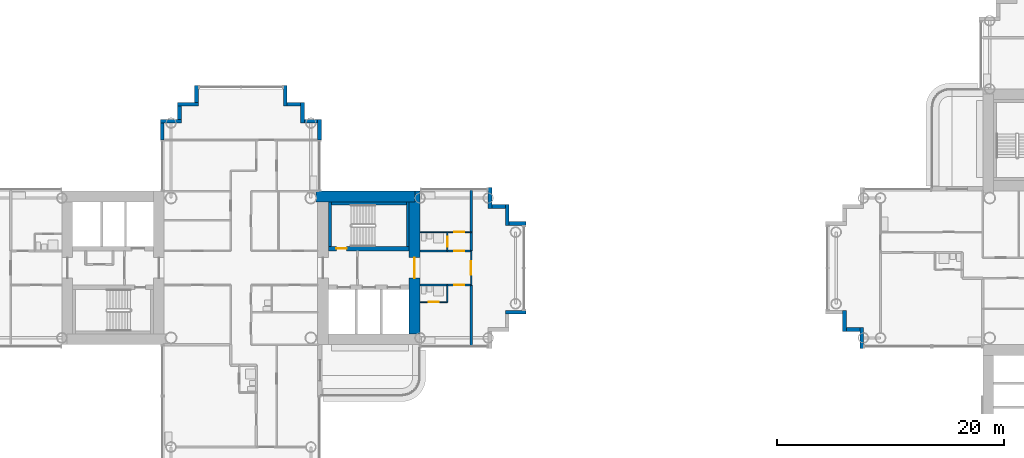
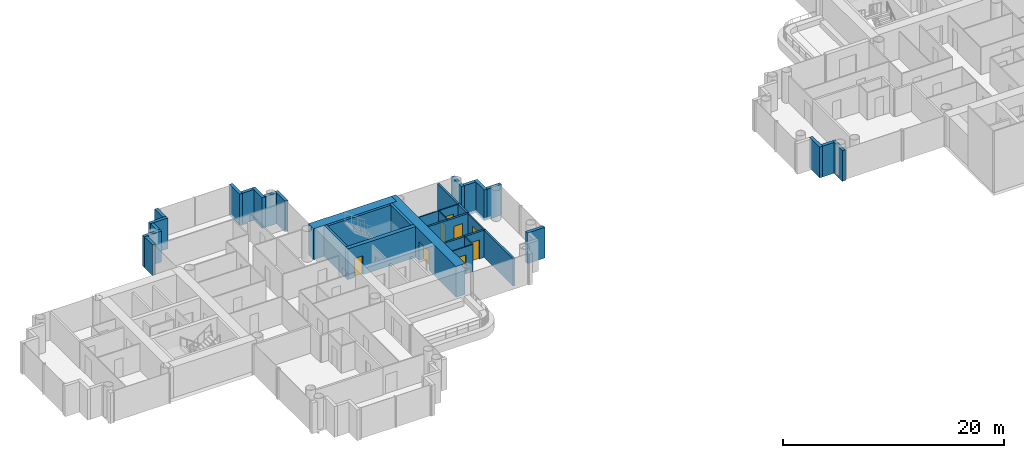
# One storey, part 11 of 21: 33 walls, 8 doors, 8 openings.
"""IFC4 building model written with IfcOpenShell, lengths in metres."""

from ifc_helpers import new_model, si_unit, direction, frame, frame_2d, origin, place, context, subcontext, project, spatial, rectangle, extrude, material, layer, layer_set, type_object, element, fill, save


model = new_model("IFC4")

# Units and contexts
model_context = context("Model", 3, precision=1e-05, world=origin(), true_north=direction((0.0, 1.0)))
body_context = subcontext(model_context, "Body", "Model", "MODEL_VIEW")
ifc_project = project(units=[si_unit("LENGTHUNIT", "METRE"), si_unit("AREAUNIT", "SQUARE_METRE"), si_unit("VOLUMEUNIT", "CUBIC_METRE"), si_unit("PLANEANGLEUNIT", "RADIAN"), si_unit("MASSUNIT", "GRAM", prefix="KILO")], contexts=[model_context])

# Site, building, storey
site_placement = place(None, origin())
site = spatial("IfcSite", under=ifc_project, at=site_placement, CompositionType="ELEMENT")
building_placement = place(site_placement, origin())
building = spatial("IfcBuilding", under=site, at=building_placement, Name="Ipe Terrace Towers", CompositionType="ELEMENT")
storey_placement = place(building_placement, frame((0.0, 0.0, 103.800048828125)))
storey = spatial("IfcBuildingStorey", under=building, at=storey_placement, Name="L28", CompositionType="ELEMENT", Elevation=103.800048828125)

# Walls
ifc_material_1 = material(Name="Concrete C40/50 with buff precast cladding", Category="concrete")
ifc_layer_1 = layer(ifc_material_1, 0.320068359375)
ifc_layer_set_1 = layer_set([ifc_layer_1], Name="BUFF CLADDING WALL 320")
wall_type_1 = type_object("IfcWallType", Name="BUFF CLADDING WALL 320", PredefinedType="STANDARD", material=ifc_layer_set_1)
wall_1_placement = place(storey_placement, frame((-12.75, -3.909912109375, -0.300048828125), z_axis=(0.0, 0.0, 1.0), x_axis=(1.0, 0.0, 0.0)))
element("IfcWall", 1, at=wall_1_placement, inside=storey, type_object=wall_type_1, Name="T1-W-L28-24a wall", PredefinedType="STANDARD", context=body_context, shape_type="SweptSolid", body=[
    extrude(rectangle(XDim=1.820068359375, YDim=0.320068359375, at=frame_2d((0.91015625, 0.0))), origin(), (0.0, 0.0, 1.0), 3.39990234375),
])
wall_2_placement = place(storey_placement, frame((-10.929931640625, 3.909912109375, -0.300048828125), z_axis=(0.0, 0.0, 1.0), x_axis=(-1.0, 0.0, 0.0)))
element("IfcWall", 2, at=wall_2_placement, inside=storey, type_object=wall_type_1, Name="T1-W-L28-26a wall", PredefinedType="STANDARD", context=body_context, shape_type="SweptSolid", body=[
    extrude(rectangle(XDim=1.5, YDim=0.320068359375, at=frame_2d((0.75, 0.0))), origin(), (0.0, 0.0, 1.0), 3.39990234375),
])
wall_3_placement = place(storey_placement, frame((-12.590087890625, 3.75, -0.300048828125), z_axis=(0.0, 0.0, 1.0), x_axis=(0.0, 1.0, 0.0)))
element("IfcWall", 3, at=wall_3_placement, inside=storey, type_object=wall_type_1, Name="T1-W-L28-27a wall", PredefinedType="STANDARD", context=body_context, shape_type="SweptSolid", body=[
    extrude(rectangle(XDim=1.820068359375, YDim=0.320068359375, at=frame_2d((0.91015625, 0.0))), origin(), (0.0, 0.0, 1.0), 3.39990234375),
])
wall_4_placement = place(storey_placement, frame((-12.75, 5.409912109375, -0.300048828125), z_axis=(0.0, 0.0, 1.0), x_axis=(-1.0, 0.0, 0.0)))
element("IfcWall", 4, at=wall_4_placement, inside=storey, type_object=wall_type_1, Name="T1-W-L28-28a wall", PredefinedType="STANDARD", context=body_context, shape_type="SweptSolid", body=[
    extrude(rectangle(XDim=1.179931640625, YDim=0.320068359375, at=frame_2d((0.58984375, 0.0))), origin(), (0.0, 0.0, 1.0), 3.39990234375),
])
for number, where, z_axis, x_axis, name in (
    (5, (-14.090087890625, 5.25, -0.300048828125), (0.0, 0.0, 1.0), (0.0, 1.0, 0.0), "T1-W-L28-29a wall"),
    (6, (-29.090087890625, 11.25, -0.300048828125), (0.0, 0.0, 1.0), (0.0, 1.0, 0.0), "T1-W-L28-33a wall"),
):
    element("IfcWall", number, at=place(storey_placement, frame(where, z_axis=z_axis, x_axis=x_axis)), inside=storey, type_object=wall_type_1, Name=name, PredefinedType="STANDARD", context=body_context, shape_type="SweptSolid", body=[
        extrude(rectangle(XDim=1.820068359375, YDim=0.320068359375, at=frame_2d((0.91015625, 0.0))), origin(), (0.0, 0.0, 1.0), 3.39990234375),
    ])
wall_5_placement = place(storey_placement, frame((-29.25, 12.909912109375, -0.300048828125), z_axis=(0.0, 0.0, 1.0), x_axis=(-1.0, 0.0, 0.0)))
element("IfcWall", 7, at=wall_5_placement, inside=storey, type_object=wall_type_1, Name="T1-W-L28-34a wall", PredefinedType="STANDARD", context=body_context, shape_type="SweptSolid", body=[
    extrude(rectangle(XDim=1.179931640625, YDim=0.320068359375, at=frame_2d((0.58984375, 0.0))), origin(), (0.0, 0.0, 1.0), 3.39990234375),
])
wall_6_placement = place(storey_placement, frame((-30.590087890625, 12.75, -0.300048828125), z_axis=(0.0, 0.0, 1.0), x_axis=(0.0, 1.0, 0.0)))
element("IfcWall", 8, at=wall_6_placement, inside=storey, type_object=wall_type_1, Name="T1-W-L28-35a wall", PredefinedType="STANDARD", context=body_context, shape_type="SweptSolid", body=[
    extrude(rectangle(XDim=1.820068359375, YDim=0.320068359375, at=frame_2d((0.91015625, 0.0))), origin(), (0.0, 0.0, 1.0), 3.39990234375),
])
wall_7_placement = place(storey_placement, frame((-30.75, 14.409912109375, -0.300048828125), z_axis=(0.0, 0.0, 1.0), x_axis=(-1.0, 0.0, 0.0)))
element("IfcWall", 9, at=wall_7_placement, inside=storey, type_object=wall_type_1, Name="T1-W-L28-36a wall", PredefinedType="STANDARD", context=body_context, shape_type="SweptSolid", body=[
    extrude(rectangle(XDim=1.179931640625, YDim=0.320068359375, at=frame_2d((0.58984375, 0.0))), origin(), (0.0, 0.0, 1.0), 3.39990234375),
])
wall_8_placement = place(storey_placement, frame((-32.090087890625, 14.25, -0.300048828125), z_axis=(0.0, 0.0, 1.0), x_axis=(0.0, 1.0, 0.0)))
element("IfcWall", 10, at=wall_8_placement, inside=storey, type_object=wall_type_1, Name="T1-W-L28-37a wall", PredefinedType="STANDARD", context=body_context, shape_type="SweptSolid", body=[
    extrude(rectangle(XDim=1.820068359375, YDim=0.320068359375, at=frame_2d((0.91015625, 0.0))), origin(), (0.0, 0.0, 1.0), 3.39990234375),
])
wall_9_placement = place(storey_placement, frame((-39.909912109375, 16.070068359375, -0.300048828125), z_axis=(0.0, 0.0, 1.0), x_axis=(0.0, -1.0, 0.0)))
element("IfcWall", 11, at=wall_9_placement, inside=storey, type_object=wall_type_1, Name="T1-W-L28-39a wall", PredefinedType="STANDARD", context=body_context, shape_type="SweptSolid", body=[
    extrude(rectangle(XDim=1.5, YDim=0.320068359375, at=frame_2d((0.75, 0.0))), origin(), (0.0, 0.0, 1.0), 3.39990234375),
])
wall_10_placement = place(storey_placement, frame((-39.75, 14.409912109375, -0.300048828125), z_axis=(0.0, 0.0, 1.0), x_axis=(-1.0, 0.0, 0.0)))
element("IfcWall", 12, at=wall_10_placement, inside=storey, type_object=wall_type_1, Name="T1-W-L28-40a wall", PredefinedType="STANDARD", context=body_context, shape_type="SweptSolid", body=[
    extrude(rectangle(XDim=1.820068359375, YDim=0.320068359375, at=frame_2d((0.91015625, 0.0))), origin(), (0.0, 0.0, 1.0), 3.39990234375),
])
wall_11_placement = place(storey_placement, frame((-41.409912109375, 14.25, -0.300048828125), z_axis=(0.0, 0.0, 1.0), x_axis=(0.0, -1.0, 0.0)))
element("IfcWall", 13, at=wall_11_placement, inside=storey, type_object=wall_type_1, Name="T1-W-L28-41a wall", PredefinedType="STANDARD", context=body_context, shape_type="SweptSolid", body=[
    extrude(rectangle(XDim=1.179931640625, YDim=0.320068359375, at=frame_2d((0.58984375, 0.0))), origin(), (0.0, 0.0, 1.0), 3.39990234375),
])
wall_12_placement = place(storey_placement, frame((-41.25, 12.909912109375, -0.300048828125), z_axis=(0.0, 0.0, 1.0), x_axis=(-1.0, 0.0, 0.0)))
element("IfcWall", 14, at=wall_12_placement, inside=storey, type_object=wall_type_1, Name="T1-W-L28-42a wall", PredefinedType="STANDARD", context=body_context, shape_type="SweptSolid", body=[
    extrude(rectangle(XDim=1.820068359375, YDim=0.320068359375, at=frame_2d((0.91015625, 0.0))), origin(), (0.0, 0.0, 1.0), 3.39990234375),
])
wall_13_placement = place(storey_placement, frame((-42.909912109375, 12.75, -0.300048828125), z_axis=(0.0, 0.0, 1.0), x_axis=(0.0, -1.0, 0.0)))
element("IfcWall", 15, at=wall_13_placement, inside=storey, type_object=wall_type_1, Name="T1-W-L28-43a wall", PredefinedType="STANDARD", context=body_context, shape_type="SweptSolid", body=[
    extrude(rectangle(XDim=1.5, YDim=0.320068359375, at=frame_2d((0.75, 0.0))), origin(), (0.0, 0.0, 1.0), 3.39990234375),
])
wall_14_placement = place(storey_placement, frame((17.090087890625, -3.75, -0.300048828125), z_axis=(0.0, 0.0, 1.0), x_axis=(0.0, -1.0, 0.0)))
element("IfcWall", 16, at=wall_14_placement, inside=storey, type_object=wall_type_1, Name="T2-W-L28-36a wall", PredefinedType="STANDARD", context=body_context, shape_type="SweptSolid", body=[
    extrude(rectangle(XDim=1.820068359375, YDim=0.320068359375, at=frame_2d((0.91015625, 0.0))), origin(), (0.0, 0.0, 1.0), 3.39990234375),
])
wall_15_placement = place(storey_placement, frame((17.25, -5.409912109375, -0.300048828125), z_axis=(0.0, 0.0, 1.0), x_axis=(1.0, 0.0, 0.0)))
element("IfcWall", 17, at=wall_15_placement, inside=storey, type_object=wall_type_1, Name="T2-W-L28-37a wall", PredefinedType="STANDARD", context=body_context, shape_type="SweptSolid", body=[
    extrude(rectangle(XDim=1.179931640625, YDim=0.320068359375, at=frame_2d((0.58984375, 0.0))), origin(), (0.0, 0.0, 1.0), 3.39990234375),
])
wall_16_placement = place(storey_placement, frame((18.590087890625, -5.25, -0.300048828125), z_axis=(0.0, 0.0, 1.0), x_axis=(0.0, -1.0, 0.0)))
element("IfcWall", 18, at=wall_16_placement, inside=storey, type_object=wall_type_1, Name="T2-W-L28-38a wall", PredefinedType="STANDARD", context=body_context, shape_type="SweptSolid", body=[
    extrude(rectangle(XDim=1.820068359375, YDim=0.320068359375, at=frame_2d((0.91015625, 0.0))), origin(), (0.0, 0.0, 1.0), 3.39990234375),
])
ifc_material_2 = material(Name="Gypsum board partition", Category="plasterboard")
ifc_layer_2 = layer(ifc_material_2, 0.10009765625)
ifc_layer_set_2 = layer_set([ifc_layer_2], Name="Gypsum board partition 100 mm")
wall_type_2 = type_object("IfcWallType", Name="Gypsum board partition 100 mm", PredefinedType="PARTITIONING", material=ifc_layer_set_2)
wall_17_placement = place(storey_placement, frame((-17.85009765625, -3.0, 0.0), z_axis=(0.0, 0.0, 1.0), x_axis=(0.0, 1.0, 0.0)))
element("IfcWall", 19, at=wall_17_placement, inside=storey, type_object=wall_type_2, Name="Gypsum board partition T1 L28 W16", PredefinedType="PARTITIONING", context=body_context, shape_type="SweptSolid", body=[
    extrude(rectangle(XDim=1.5, YDim=0.10009765625, at=frame_2d((0.75, 0.0))), origin(), (0.0, 0.0, 1.0), 3.0),
])

# Wall, opening, door
wall_18_placement = place(storey_placement, frame((-17.85009765625, 1.5, 0.0), z_axis=(0.0, 0.0, 1.0), x_axis=(0.0, 1.0, 0.0)))
wall_18 = element("IfcWall", 20, at=wall_18_placement, inside=storey, type_object=wall_type_2, Name="Gypsum board partition T1 L28 W17", PredefinedType="PARTITIONING", context=body_context, shape_type="SweptSolid", body=[
    extrude(rectangle(XDim=1.64990234375, YDim=0.10009765625, at=frame_2d((0.824951171875, 0.0))), origin(), (0.0, 0.0, 1.0), 3.0),
])
opening_1_placement = place(wall_18_placement, frame((0.35009765625, 0.0, 0.0)))
opening_1 = element("IfcOpeningElement", 21, at=opening_1_placement, cuts=wall_18, Name="Opening T1-Z2E-18", PredefinedType="OPENING", context=body_context, shape_type="SweptSolid", body=[
    extrude(rectangle(XDim=0.89990234375, YDim=2.10009765625, at=frame_2d((0.449951171875, 1.050048828125))), frame((0.0, 0.06005859375, 0.0), z_axis=(0.0, -1.0, 0.0), x_axis=(1.0, 0.0, 0.0)), (0.0, 0.0, 1.0), 0.1201171875),
])
ifc_material_3 = material(Name="Timber door leaf", Category="wood")
door_type_1 = type_object("IfcDoorType", Name="Bathroom door 900 x 2100", OperationType="NOTDEFINED", PredefinedType="DOOR", material=ifc_material_3)
door_1_placement = place(opening_1_placement, origin())
door_1 = element("IfcDoor", 22, at=door_1_placement, inside=storey, type_object=door_type_1, Name="Bathroom door T1-Z2E-18", OperationType="SINGLE_SWING_RIGHT", OverallHeight=2.10009765625, OverallWidth=0.89990234375, PredefinedType="DOOR", context=body_context, shape_type="SweptSolid", body=[
    extrude(rectangle(XDim=0.89990234375, YDim=2.10009765625, at=frame_2d((0.449951171875, 1.050048828125))), frame((0.0, 0.02490234375, 0.0), z_axis=(0.0, -1.0, 0.0), x_axis=(1.0, 0.0, 0.0)), (0.0, 0.0, 1.0), 0.050048828125),
])
fill(opening_1, door_1)

wall_19_placement = place(storey_placement, frame((-15.75, -1.5, 0.0), z_axis=(0.0, 0.0, 1.0), x_axis=(0.0, 1.0, 0.0)))
wall_19 = element("IfcWall", 23, at=wall_19_placement, inside=storey, type_object=wall_type_2, Name="Gypsum board partition T1 L28 W18", PredefinedType="PARTITIONING", context=body_context, shape_type="SweptSolid", body=[
    extrude(rectangle(XDim=3.0, YDim=0.10009765625, at=frame_2d((1.5, 0.0))), origin(), (0.0, 0.0, 1.0), 3.0),
])
opening_2_placement = place(wall_19_placement, frame((0.89990234375, 0.0, 0.0)))
opening_2 = element("IfcOpeningElement", 24, at=opening_2_placement, cuts=wall_19, Name="Opening T1-Z2E-21", PredefinedType="OPENING", context=body_context, shape_type="SweptSolid", body=[
    extrude(rectangle(XDim=1.199951171875, YDim=2.10009765625, at=frame_2d((0.60009765625, 1.050048828125))), frame((0.0, 0.06005859375, 0.0), z_axis=(0.0, -1.0, 0.0), x_axis=(1.0, 0.0, 0.0)), (0.0, 0.0, 1.0), 0.1201171875),
])
ifc_material_4 = material(Name="Timber door leaf", Category="wood")
door_type_2 = type_object("IfcDoorType", Name="Lounge door 1200 x 2100", OperationType="NOTDEFINED", PredefinedType="DOOR", material=ifc_material_4)
door_2_placement = place(opening_2_placement, origin())
door_2 = element("IfcDoor", 25, at=door_2_placement, inside=storey, type_object=door_type_2, Name="Lounge door T1-Z2E-21", OperationType="SINGLE_SWING_RIGHT", OverallHeight=2.10009765625, OverallWidth=1.199951171875, PredefinedType="DOOR", context=body_context, shape_type="SweptSolid", body=[
    extrude(rectangle(XDim=1.199951171875, YDim=2.10009765625, at=frame_2d((0.60009765625, 1.050048828125))), frame((0.0, 0.02490234375, 0.0), z_axis=(0.0, -1.0, 0.0), x_axis=(1.0, 0.0, 0.0)), (0.0, 0.0, 1.0), 0.050048828125),
])
fill(opening_2, door_2)

wall_20_placement = place(storey_placement, frame((-20.25, -3.0, 0.0), z_axis=(0.0, 0.0, 1.0), x_axis=(1.0, 0.0, 0.0)))
wall_20 = element("IfcWall", 26, at=wall_20_placement, inside=storey, type_object=wall_type_2, Name="Gypsum board partition T1 L28 W28", PredefinedType="PARTITIONING", context=body_context, shape_type="SweptSolid", body=[
    extrude(rectangle(XDim=2.39990234375, YDim=0.10009765625, at=frame_2d((1.199951171875, 0.0))), origin(), (0.0, 0.0, 1.0), 3.0),
])
opening_3_placement = place(wall_20_placement, frame((0.75, 0.0, 0.0)))
opening_3 = element("IfcOpeningElement", 27, at=opening_3_placement, cuts=wall_20, Name="Opening T1-Z2E-20", PredefinedType="OPENING", context=body_context, shape_type="SweptSolid", body=[
    extrude(rectangle(XDim=0.89990234375, YDim=2.10009765625, at=frame_2d((0.449951171875, 1.050048828125))), frame((0.0, 0.06005859375, 0.0), z_axis=(0.0, -1.0, 0.0), x_axis=(1.0, 0.0, 0.0)), (0.0, 0.0, 1.0), 0.1201171875),
])
door_3_placement = place(opening_3_placement, origin())
door_3 = element("IfcDoor", 28, at=door_3_placement, inside=storey, type_object=door_type_1, Name="Bathroom door T1-Z2E-20", OperationType="SINGLE_SWING_LEFT", OverallHeight=2.10009765625, OverallWidth=0.89990234375, PredefinedType="DOOR", context=body_context, shape_type="SweptSolid", body=[
    extrude(rectangle(XDim=0.89990234375, YDim=2.10009765625, at=frame_2d((0.449951171875, 1.050048828125))), frame((0.0, 0.02490234375, 0.0), z_axis=(0.0, -1.0, 0.0), x_axis=(1.0, 0.0, 0.0)), (0.0, 0.0, 1.0), 0.050048828125),
])
fill(opening_3, door_3)

wall_21_placement = place(storey_placement, frame((-20.25, 3.14990234375, 0.0), z_axis=(0.0, 0.0, 1.0), x_axis=(1.0, 0.0, 0.0)))
wall_21 = element("IfcWall", 29, at=wall_21_placement, inside=storey, type_object=wall_type_2, Name="Gypsum board partition T1 L28 W38", PredefinedType="PARTITIONING", context=body_context, shape_type="SweptSolid", body=[
    extrude(rectangle(XDim=4.5, YDim=0.10009765625, at=frame_2d((2.25, 0.0))), origin(), (0.0, 0.0, 1.0), 3.0),
])
opening_4_placement = place(wall_21_placement, frame((3.0, 0.0, 0.0)))
opening_4 = element("IfcOpeningElement", 30, at=opening_4_placement, cuts=wall_21, Name="Opening T1-Z2E-17", PredefinedType="OPENING", context=body_context, shape_type="SweptSolid", body=[
    extrude(rectangle(XDim=0.89990234375, YDim=2.10009765625, at=frame_2d((0.449951171875, 1.050048828125))), frame((0.0, 0.06005859375, 0.0), z_axis=(0.0, -1.0, 0.0), x_axis=(1.0, 0.0, 0.0)), (0.0, 0.0, 1.0), 0.1201171875),
])
ifc_material_5 = material(Name="Timber door leaf", Category="wood")
door_type_3 = type_object("IfcDoorType", Name="Bedroom door 900 x 2100", OperationType="NOTDEFINED", PredefinedType="DOOR", material=ifc_material_5)
door_4_placement = place(opening_4_placement, origin())
door_4 = element("IfcDoor", 31, at=door_4_placement, inside=storey, type_object=door_type_3, Name="Bedroom door T1-Z2E-17", OperationType="SINGLE_SWING_LEFT", OverallHeight=2.10009765625, OverallWidth=0.89990234375, PredefinedType="DOOR", context=body_context, shape_type="SweptSolid", body=[
    extrude(rectangle(XDim=0.89990234375, YDim=2.10009765625, at=frame_2d((0.449951171875, 1.050048828125))), frame((0.0, 0.02490234375, 0.0), z_axis=(0.0, -1.0, 0.0), x_axis=(1.0, 0.0, 0.0)), (0.0, 0.0, 1.0), 0.050048828125),
])
fill(opening_4, door_4)

# Walls
ifc_material_6 = material(Name="Gypsum board party wall", Category="plasterboard")
ifc_layer_3 = layer(ifc_material_6, 0.199951171875)
ifc_layer_set_3 = layer_set([ifc_layer_3], Name="Gypsum board party wall 200 mm")
wall_type_3 = type_object("IfcWallType", Name="Gypsum board party wall 200 mm", PredefinedType="SOLIDWALL", material=ifc_layer_set_3)
for number, where, z_axis, x_axis, name in (
    (32, (-15.75, -6.85009765625, 0.0), (0.0, 0.0, 1.0), (0.0, 1.0, 0.0), "Gypsum board party wall T1 L28 W19"),
    (33, (-15.75, 1.5, 0.0), (0.0, 0.0, 1.0), (0.0, 1.0, 0.0), "Gypsum board party wall T1 L28 W20"),
):
    element("IfcWall", number, at=place(storey_placement, frame(where, z_axis=z_axis, x_axis=x_axis)), inside=storey, type_object=wall_type_3, Name=name, PredefinedType="SOLIDWALL", context=body_context, shape_type="SweptSolid", body=[
        extrude(rectangle(XDim=5.35009765625, YDim=0.199951171875, at=frame_2d((2.675048828125, 0.0))), origin(), (0.0, 0.0, 1.0), 3.0),
    ])

# Wall, opening, door
wall_22_placement = place(storey_placement, frame((-20.25, -1.5, 0.0), z_axis=(0.0, 0.0, 1.0), x_axis=(1.0, 0.0, 0.0)))
wall_22 = element("IfcWall", 34, at=wall_22_placement, inside=storey, type_object=wall_type_3, Name="Gypsum board party wall T1 L28 W32", PredefinedType="SOLIDWALL", context=body_context, shape_type="SweptSolid", body=[
    extrude(rectangle(XDim=4.5, YDim=0.199951171875, at=frame_2d((2.25, 0.0))), origin(), (0.0, 0.0, 1.0), 3.0),
])
opening_5_placement = place(wall_22_placement, frame((3.0, 0.0, 0.0)))
opening_5 = element("IfcOpeningElement", 35, at=opening_5_placement, cuts=wall_22, Name="Opening T1-Z2E-19", PredefinedType="OPENING", context=body_context, shape_type="SweptSolid", body=[
    extrude(rectangle(XDim=0.89990234375, YDim=2.10009765625, at=frame_2d((0.449951171875, 1.050048828125))), frame((0.0, 0.10986328125, 0.0), z_axis=(0.0, -1.0, 0.0), x_axis=(1.0, 0.0, 0.0)), (0.0, 0.0, 1.0), 0.219970703125),
])
ifc_material_7 = material(Name="Fire-rated timber door leaf", Category="wood")
door_type_4 = type_object("IfcDoorType", Name="Flat entrance door 900 x 2100 FD30S", OperationType="NOTDEFINED", PredefinedType="DOOR", material=ifc_material_7)
door_5_placement = place(opening_5_placement, origin())
door_5 = element("IfcDoor", 36, at=door_5_placement, inside=storey, type_object=door_type_4, Name="Flat entrance door T1-Z2E-19", OperationType="SINGLE_SWING_RIGHT", OverallHeight=2.10009765625, OverallWidth=0.89990234375, PredefinedType="DOOR", context=body_context, shape_type="SweptSolid", body=[
    extrude(rectangle(XDim=0.89990234375, YDim=2.10009765625, at=frame_2d((0.449951171875, 1.050048828125))), frame((0.0, 0.02490234375, 0.0), z_axis=(0.0, -1.0, 0.0), x_axis=(1.0, 0.0, 0.0)), (0.0, 0.0, 1.0), 0.050048828125),
])
fill(opening_5, door_5)

wall_23_placement = place(storey_placement, frame((-20.25, 1.5, 0.0), z_axis=(0.0, 0.0, 1.0), x_axis=(1.0, 0.0, 0.0)))
wall_23 = element("IfcWall", 37, at=wall_23_placement, inside=storey, type_object=wall_type_3, Name="Gypsum board party wall T1 L28 W36", PredefinedType="SOLIDWALL", context=body_context, shape_type="SweptSolid", body=[
    extrude(rectangle(XDim=4.5, YDim=0.199951171875, at=frame_2d((2.25, 0.0))), origin(), (0.0, 0.0, 1.0), 3.0),
])
opening_6_placement = place(wall_23_placement, frame((3.0, 0.0, 0.0)))
opening_6 = element("IfcOpeningElement", 38, at=opening_6_placement, cuts=wall_23, Name="Opening T1-Z2E-16", PredefinedType="OPENING", context=body_context, shape_type="SweptSolid", body=[
    extrude(rectangle(XDim=0.89990234375, YDim=2.10009765625, at=frame_2d((0.449951171875, 1.050048828125))), frame((0.0, 0.10986328125, 0.0), z_axis=(0.0, -1.0, 0.0), x_axis=(1.0, 0.0, 0.0)), (0.0, 0.0, 1.0), 0.219970703125),
])
door_6_placement = place(opening_6_placement, origin())
door_6 = element("IfcDoor", 39, at=door_6_placement, inside=storey, type_object=door_type_4, Name="Flat entrance door T1-Z2E-16", OperationType="SINGLE_SWING_LEFT", OverallHeight=2.10009765625, OverallWidth=0.89990234375, PredefinedType="DOOR", context=body_context, shape_type="SweptSolid", body=[
    extrude(rectangle(XDim=0.89990234375, YDim=2.10009765625, at=frame_2d((0.449951171875, 1.050048828125))), frame((0.0, 0.02490234375, 0.0), z_axis=(0.0, -1.0, 0.0), x_axis=(1.0, 0.0, 0.0)), (0.0, 0.0, 1.0), 0.050048828125),
])
fill(opening_6, door_6)

# Walls
ifc_material_8 = material(Name="Concrete C50/60", Category="concrete")
ifc_layer_4 = layer(ifc_material_8, 0.25)
ifc_layer_set_4 = layer_set([ifc_layer_4], Name="RW250 CORE INFILL WALL 250 C50-60")
wall_type_4 = type_object("IfcWallType", Name="RW250 CORE INFILL WALL 250 C50-60", PredefinedType="SHEAR", material=ifc_layer_set_4)
wall_24_placement = place(storey_placement, frame((-21.324951171875, 1.89990234375, 0.0), z_axis=(0.0, 0.0, 1.0), x_axis=(0.0, 1.0, 0.0)))
element("IfcWall", 40, at=wall_24_placement, inside=storey, type_object=wall_type_4, Name="Core infill wall T1-C1-far", PredefinedType="SHEAR", context=body_context, shape_type="SweptSolid", body=[
    extrude(rectangle(XDim=3.900146484375, YDim=0.25, at=frame_2d((1.9501953125, 0.0))), origin(), (0.0, 0.0, 1.0), 3.39990234375),
])
wall_25_placement = place(storey_placement, frame((-28.050048828125, 5.675048828125, 0.0), z_axis=(0.0, 0.0, 1.0), x_axis=(1.0, 0.0, 0.0)))
element("IfcWall", 41, at=wall_25_placement, inside=storey, type_object=wall_type_4, Name="Core infill wall T1-C1-back", PredefinedType="SHEAR", context=body_context, shape_type="SweptSolid", body=[
    extrude(rectangle(XDim=6.60009765625, YDim=0.25, at=frame_2d((3.300048828125, 0.0))), origin(), (0.0, 0.0, 1.0), 3.39990234375),
])
wall_26_placement = place(storey_placement, frame((-28.175048828125, 1.89990234375, 0.0), z_axis=(0.0, 0.0, 1.0), x_axis=(0.0, 1.0, 0.0)))
element("IfcWall", 42, at=wall_26_placement, inside=storey, type_object=wall_type_4, Name="Core infill wall T1-C1-near", PredefinedType="SHEAR", context=body_context, shape_type="SweptSolid", body=[
    extrude(rectangle(XDim=3.900146484375, YDim=0.25, at=frame_2d((1.9501953125, 0.0))), origin(), (0.0, 0.0, 1.0), 3.39990234375),
])

# Wall, opening, door
ifc_material_9 = material(Name="Concrete C50/60", Category="concrete")
ifc_layer_5 = layer(ifc_material_9, 0.39990234375)
ifc_layer_set_5 = layer_set([ifc_layer_5], Name="RW400 CORE SPINE WALL 400 C50-60")
wall_type_5 = type_object("IfcWallType", Name="RW400 CORE SPINE WALL 400 C50-60", PredefinedType="SHEAR", material=ifc_layer_set_5)
wall_27_placement = place(storey_placement, frame((-28.300048828125, 1.699951171875, 0.0), z_axis=(0.0, 0.0, 1.0), x_axis=(1.0, 0.0, 0.0)))
wall_27 = element("IfcWall", 43, at=wall_27_placement, inside=storey, type_object=wall_type_5, Name="Core spine wall T1-C1-Z2-SW2", PredefinedType="SHEAR", context=body_context, shape_type="SweptSolid", body=[
    extrude(rectangle(XDim=7.10009765625, YDim=0.39990234375, at=frame_2d((3.550048828125, 0.0))), origin(), (0.0, 0.0, 1.0), 3.39990234375),
])
opening_7_placement = place(wall_27_placement, frame((0.699951171875, 0.0, 0.0)))
opening_7 = element("IfcOpeningElement", 44, at=opening_7_placement, cuts=wall_27, Name="Opening T1C1-SD", PredefinedType="OPENING", context=body_context, shape_type="SweptSolid", body=[
    extrude(rectangle(XDim=0.89990234375, YDim=2.10009765625, at=frame_2d((0.449951171875, 1.050048828125))), frame((0.0, 0.2099609375, 0.0), z_axis=(0.0, -1.0, 0.0), x_axis=(1.0, 0.0, 0.0)), (0.0, 0.0, 1.0), 0.419921875),
])
ifc_material_10 = material(Name="Fire-rated timber door leaf", Category="wood")
door_type_5 = type_object("IfcDoorType", Name="Stair door 900 x 2100 FD60", OperationType="NOTDEFINED", PredefinedType="DOOR", material=ifc_material_10)
door_7_placement = place(opening_7_placement, origin())
door_7 = element("IfcDoor", 45, at=door_7_placement, inside=storey, type_object=door_type_5, Name="Stair door T1C1-SD", OperationType="SINGLE_SWING_LEFT", OverallHeight=2.10009765625, OverallWidth=0.89990234375, PredefinedType="DOOR", context=body_context, shape_type="SweptSolid", body=[
    extrude(rectangle(XDim=0.89990234375, YDim=2.10009765625, at=frame_2d((0.449951171875, 1.050048828125))), frame((0.0, 0.02490234375, 0.0), z_axis=(0.0, -1.0, 0.0), x_axis=(1.0, 0.0, 0.0)), (0.0, 0.0, 1.0), 0.050048828125),
])
fill(opening_7, door_7)

ifc_material_11 = material(Name="Concrete C50/60", Category="concrete")
ifc_layer_6 = layer(ifc_material_11, 0.949951171875)
ifc_layer_set_6 = layer_set([ifc_layer_6], Name="RW950 CORE WALL 950 C50-60")
wall_type_6 = type_object("IfcWallType", Name="RW950 CORE WALL 950 C50-60", PredefinedType="SHEAR", material=ifc_layer_set_6)
wall_28_placement = place(storey_placement, frame((-20.72509765625, -5.800048828125, 0.0), z_axis=(0.0, 0.0, 1.0), x_axis=(0.0, 1.0, 0.0)))
wall_28 = element("IfcWall", 46, at=wall_28_placement, inside=storey, type_object=wall_type_6, Name="Core wall T1-C1-Z2-W02", PredefinedType="SHEAR", context=body_context, shape_type="SweptSolid", body=[
    extrude(rectangle(XDim=12.550048828125, YDim=0.949951171875, at=frame_2d((6.27490234375, 0.0))), origin(), (0.0, 0.0, 1.0), 3.39990234375),
])
opening_8_placement = place(wall_28_placement, frame((4.89990234375, 0.0, 0.0)))
opening_8 = element("IfcOpeningElement", 47, at=opening_8_placement, cuts=wall_28, Name="Opening T1C1-FD", PredefinedType="OPENING", context=body_context, shape_type="SweptSolid", body=[
    extrude(rectangle(XDim=1.800048828125, YDim=2.10009765625, at=frame_2d((0.89990234375, 1.050048828125))), frame((0.0, 0.48486328125, 0.0), z_axis=(0.0, -1.0, 0.0), x_axis=(1.0, 0.0, 0.0)), (0.0, 0.0, 1.0), 0.969970703125),
])
ifc_material_12 = material(Name="Fire-rated timber door leaf", Category="wood")
door_type_6 = type_object("IfcDoorType", Name="Fire door 1800 x 2100 FD30S", OperationType="NOTDEFINED", PredefinedType="DOOR", material=ifc_material_12)
door_8_placement = place(opening_8_placement, origin())
door_8 = element("IfcDoor", 48, at=door_8_placement, inside=storey, type_object=door_type_6, Name="Fire door T1C1-FD", OperationType="SINGLE_SWING_LEFT", OverallHeight=2.10009765625, OverallWidth=1.800048828125, PredefinedType="DOOR", context=body_context, shape_type="SweptSolid", body=[
    extrude(rectangle(XDim=1.800048828125, YDim=2.10009765625, at=frame_2d((0.89990234375, 1.050048828125))), frame((0.0, 0.02490234375, 0.0), z_axis=(0.0, -1.0, 0.0), x_axis=(1.0, 0.0, 0.0)), (0.0, 0.0, 1.0), 0.050048828125),
])
fill(opening_8, door_8)

# Wall
wall_29_placement = place(storey_placement, frame((-20.701904296875, 6.27490234375, 0.0), z_axis=(0.0, 0.0, 1.0), x_axis=(-1.0, 0.0, 0.0)))
element("IfcWall", 49, at=wall_29_placement, inside=storey, type_object=wall_type_6, Name="Core wall T1-C1-Z2-W03", PredefinedType="SHEAR", context=body_context, shape_type="SweptSolid", body=[
    extrude(rectangle(XDim=8.696044921875, YDim=0.949951171875, at=frame_2d((4.34814453125, 0.0))), origin(), (0.0, 0.0, 1.0), 3.39990234375),
])

save(model, "model.ifc")
